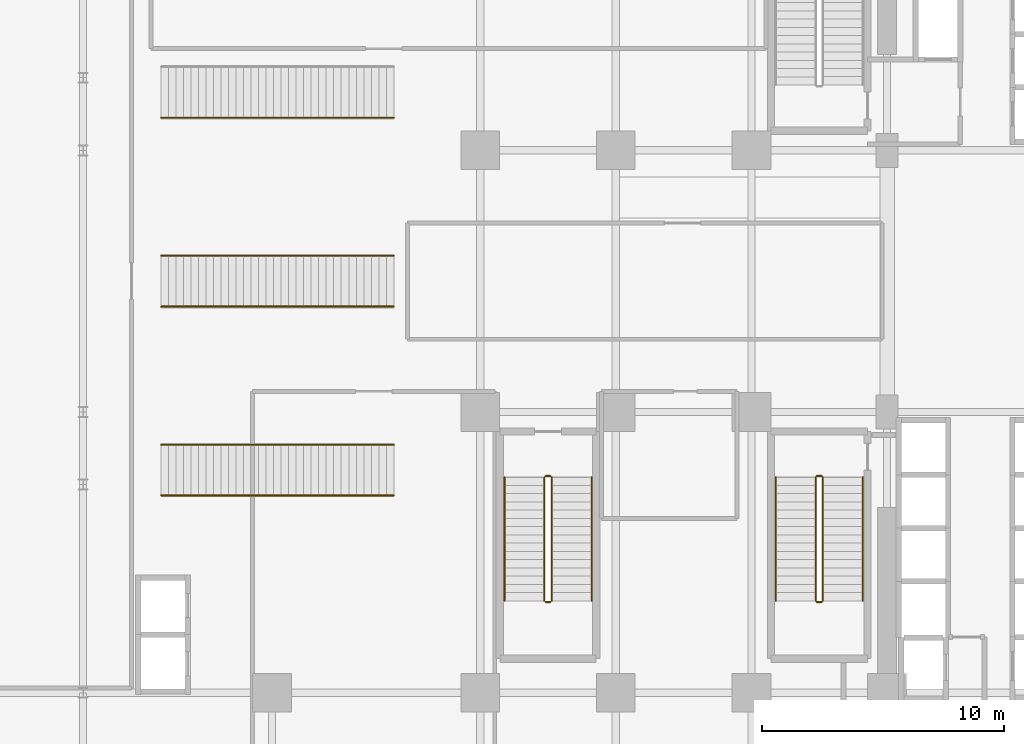
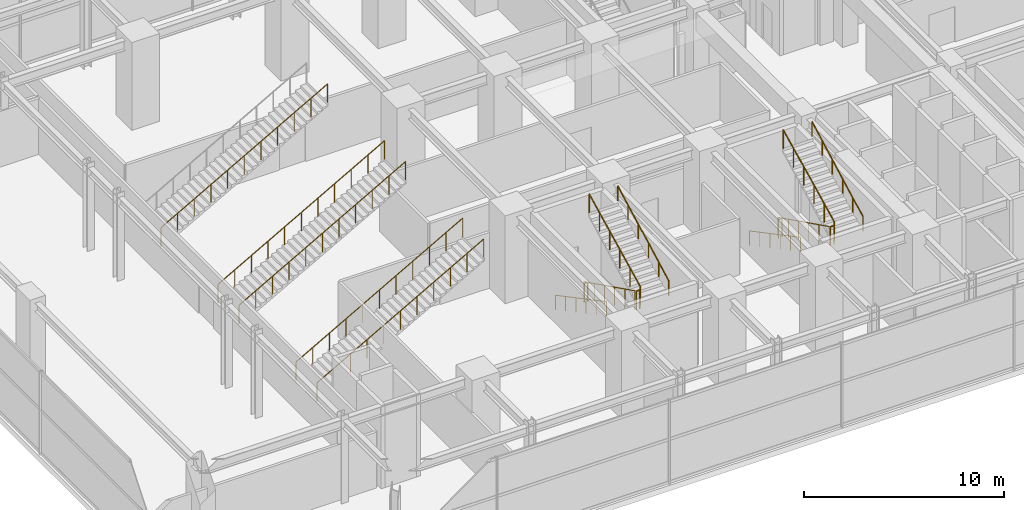
# One storey, part 31 of 34: 17 railings.
"""IFC4 building model written with IfcOpenShell, lengths in metres."""

from ifc_helpers import new_model, si_unit, direction, frame, origin, origin_2d, place, context, subcontext, project, spatial, circle, extrude, material, type_object, element, save


model = new_model("IFC4")

# Units and contexts
model_context = context("Model", 3, precision=1e-05, world=origin(), true_north=direction((0.0, 1.0)))
body_context = subcontext(model_context, "Body", "Model", "MODEL_VIEW")
ifc_project = project(units=[si_unit("LENGTHUNIT", "METRE"), si_unit("AREAUNIT", "SQUARE_METRE"), si_unit("VOLUMEUNIT", "CUBIC_METRE"), si_unit("PLANEANGLEUNIT", "RADIAN"), si_unit("MASSUNIT", "GRAM", prefix="KILO")], contexts=[model_context])

# Site, building, storey
site_placement = place(None, origin())
site = spatial("IfcSite", under=ifc_project, at=site_placement, CompositionType="ELEMENT")
building_placement = place(site_placement, origin())
building = spatial("IfcBuilding", under=site, at=building_placement, Name="Nahalor Promenade Grand Hotel", CompositionType="ELEMENT")
storey_placement = place(building_placement, frame((0.0, 0.0, 16.199951171875)))
storey = spatial("IfcBuildingStorey", under=building, at=storey_placement, Name="L03", CompositionType="ELEMENT", Elevation=16.199951171875)

# Railings
ifc_material = material(Name="Steel S355JR", Category="steel")
railing_type_1 = type_object("IfcRailingType", Name="Steel Stair Guardrail 1150 mm", PredefinedType="GUARDRAIL", material=ifc_material)
railing_1_placement = place(storey_placement, frame((5.449951171875, -8.10009765625, 0.168701171875)))
element("IfcRailing", 1, at=railing_1_placement, inside=storey, type_object=railing_type_1, Name="L03 ST2 stair guard 1", PredefinedType="GUARDRAIL", context=body_context, shape_type="SweptSolid", body=[
    extrude(circle(Radius=0.024048, at=origin_2d()), frame((0.0, 0.0, 1.1259765625), z_axis=(0.0, -0.895735491292, 0.444587370086), x_axis=(1.0, 0.0, 0.0)), (0.0, 0.0, 1.0), 5.693603515625),
    extrude(circle(Radius=0.020996, at=origin_2d()), origin(), (0.0, 0.0, 1.0), 1.099853515625),
    extrude(circle(Radius=0.020996, at=origin_2d()), frame((0.0, -1.02001953125, 0.50634765625)), (0.0, 0.0, 1.0), 1.099853515625),
    extrude(circle(Radius=0.020996, at=origin_2d()), frame((0.0, -2.0400390625, 1.012451171875)), (0.0, 0.0, 1.0), 1.099853515625),
    extrude(circle(Radius=0.020996, at=origin_2d()), frame((0.0, -3.059814453125, 1.518798828125)), (0.0, 0.0, 1.0), 1.099853515625),
    extrude(circle(Radius=0.020996, at=origin_2d()), frame((0.0, -4.079833984375, 2.02490234375)), (0.0, 0.0, 1.0), 1.099853515625),
    extrude(circle(Radius=0.020996, at=origin_2d()), frame((0.0, -5.099853515625, 2.53125)), (0.0, 0.0, 1.0), 1.099853515625),
])
railing_2_placement = place(storey_placement, frame((5.5, -13.25, 2.699951171875)))
element("IfcRailing", 2, at=railing_2_placement, inside=storey, type_object=railing_type_1, Name="L03 ST2 stair guard 2", PredefinedType="GUARDRAIL", context=body_context, shape_type="SweptSolid", body=[
    extrude(circle(Radius=0.024048, at=origin_2d()), frame((0.0, 0.0, 1.1259765625), z_axis=(1.0, 0.0, 0.0), x_axis=(0.0, 1.0, 0.0)), (0.0, 0.0, 1.0), 0.199951171875),
    extrude(circle(Radius=0.020996, at=origin_2d()), origin(), (0.0, 0.0, 1.0), 1.099853515625),
    extrude(circle(Radius=0.020996, at=origin_2d()), frame((0.199951171875, 0.0, 0.0)), (0.0, 0.0, 1.0), 1.099853515625),
])
railing_3_placement = place(storey_placement, frame((5.75, -13.199951171875, 2.868896484375)))
element("IfcRailing", 3, at=railing_3_placement, inside=storey, type_object=railing_type_1, Name="L03 ST2 stair guard 3", PredefinedType="GUARDRAIL", context=body_context, shape_type="SweptSolid", body=[
    extrude(circle(Radius=0.024048, at=origin_2d()), frame((0.0, 0.0, 1.1259765625), z_axis=(0.0, 0.895735491292, 0.444587370086), x_axis=(-1.0, 0.0, 0.0)), (0.0, 0.0, 1.0), 5.693603515625),
    extrude(circle(Radius=0.020996, at=origin_2d()), origin(), (0.0, 0.0, 1.0), 1.099853515625),
    extrude(circle(Radius=0.020996, at=origin_2d()), frame((0.0, 1.02001953125, 0.50634765625)), (0.0, 0.0, 1.0), 1.099853515625),
    extrude(circle(Radius=0.020996, at=origin_2d()), frame((0.0, 2.0400390625, 1.012451171875)), (0.0, 0.0, 1.0), 1.099853515625),
    extrude(circle(Radius=0.020996, at=origin_2d()), frame((0.0, 3.059814453125, 1.518798828125)), (0.0, 0.0, 1.0), 1.099853515625),
    extrude(circle(Radius=0.020996, at=origin_2d()), frame((0.0, 4.079833984375, 2.02490234375)), (0.0, 0.0, 1.0), 1.099853515625),
    extrude(circle(Radius=0.020996, at=origin_2d()), frame((0.0, 5.099853515625, 2.53125)), (0.0, 0.0, 1.0), 1.099853515625),
])
railing_4_placement = place(storey_placement, frame((5.5, -8.050048828125, 0.0)))
element("IfcRailing", 4, at=railing_4_placement, inside=storey, type_object=railing_type_1, Name="L03 ST2 stair guard 4", PredefinedType="GUARDRAIL", context=body_context, shape_type="SweptSolid", body=[
    extrude(circle(Radius=0.024048, at=origin_2d()), frame((0.0, 0.0, 1.1259765625), z_axis=(1.0, 0.0, 0.0), x_axis=(0.0, 1.0, 0.0)), (0.0, 0.0, 1.0), 0.199951171875),
    extrude(circle(Radius=0.020996, at=origin_2d()), origin(), (0.0, 0.0, 1.0), 1.099853515625),
    extrude(circle(Radius=0.020996, at=origin_2d()), frame((0.199951171875, 0.0, 0.0)), (0.0, 0.0, 1.0), 1.099853515625),
])
railing_5_placement = place(storey_placement, frame((-5.75, -8.10009765625, 0.168701171875)))
element("IfcRailing", 5, at=railing_5_placement, inside=storey, type_object=railing_type_1, Name="L03 ST3 stair guard 1", PredefinedType="GUARDRAIL", context=body_context, shape_type="SweptSolid", body=[
    extrude(circle(Radius=0.024048, at=origin_2d()), frame((0.0, 0.0, 1.1259765625), z_axis=(0.0, -0.895735491292, 0.444587370086), x_axis=(1.0, 0.0, 0.0)), (0.0, 0.0, 1.0), 5.693603515625),
    extrude(circle(Radius=0.020996, at=origin_2d()), origin(), (0.0, 0.0, 1.0), 1.099853515625),
    extrude(circle(Radius=0.020996, at=origin_2d()), frame((0.0, -1.02001953125, 0.50634765625)), (0.0, 0.0, 1.0), 1.099853515625),
    extrude(circle(Radius=0.020996, at=origin_2d()), frame((0.0, -2.0400390625, 1.012451171875)), (0.0, 0.0, 1.0), 1.099853515625),
    extrude(circle(Radius=0.020996, at=origin_2d()), frame((0.0, -3.059814453125, 1.518798828125)), (0.0, 0.0, 1.0), 1.099853515625),
    extrude(circle(Radius=0.020996, at=origin_2d()), frame((0.0, -4.079833984375, 2.02490234375)), (0.0, 0.0, 1.0), 1.099853515625),
    extrude(circle(Radius=0.020996, at=origin_2d()), frame((0.0, -5.099853515625, 2.53125)), (0.0, 0.0, 1.0), 1.099853515625),
])
railing_6_placement = place(storey_placement, frame((-5.699951171875, -13.25, 2.699951171875)))
element("IfcRailing", 6, at=railing_6_placement, inside=storey, type_object=railing_type_1, Name="L03 ST3 stair guard 2", PredefinedType="GUARDRAIL", context=body_context, shape_type="SweptSolid", body=[
    extrude(circle(Radius=0.024048, at=origin_2d()), frame((0.0, 0.0, 1.1259765625), z_axis=(1.0, 0.0, 0.0), x_axis=(0.0, 1.0, 0.0)), (0.0, 0.0, 1.0), 0.199951171875),
    extrude(circle(Radius=0.020996, at=origin_2d()), origin(), (0.0, 0.0, 1.0), 1.099853515625),
    extrude(circle(Radius=0.020996, at=origin_2d()), frame((0.199951171875, 0.0, 0.0)), (0.0, 0.0, 1.0), 1.099853515625),
])
railing_7_placement = place(storey_placement, frame((-5.449951171875, -13.199951171875, 2.868896484375)))
element("IfcRailing", 7, at=railing_7_placement, inside=storey, type_object=railing_type_1, Name="L03 ST3 stair guard 3", PredefinedType="GUARDRAIL", context=body_context, shape_type="SweptSolid", body=[
    extrude(circle(Radius=0.024048, at=origin_2d()), frame((0.0, 0.0, 1.1259765625), z_axis=(0.0, 0.895735491292, 0.444587370086), x_axis=(-1.0, 0.0, 0.0)), (0.0, 0.0, 1.0), 5.693603515625),
    extrude(circle(Radius=0.020996, at=origin_2d()), origin(), (0.0, 0.0, 1.0), 1.099853515625),
    extrude(circle(Radius=0.020996, at=origin_2d()), frame((0.0, 1.02001953125, 0.50634765625)), (0.0, 0.0, 1.0), 1.099853515625),
    extrude(circle(Radius=0.020996, at=origin_2d()), frame((0.0, 2.0400390625, 1.012451171875)), (0.0, 0.0, 1.0), 1.099853515625),
    extrude(circle(Radius=0.020996, at=origin_2d()), frame((0.0, 3.059814453125, 1.518798828125)), (0.0, 0.0, 1.0), 1.099853515625),
    extrude(circle(Radius=0.020996, at=origin_2d()), frame((0.0, 4.079833984375, 2.02490234375)), (0.0, 0.0, 1.0), 1.099853515625),
    extrude(circle(Radius=0.020996, at=origin_2d()), frame((0.0, 5.099853515625, 2.53125)), (0.0, 0.0, 1.0), 1.099853515625),
])
railing_8_placement = place(storey_placement, frame((-5.699951171875, -8.050048828125, 0.0)))
element("IfcRailing", 8, at=railing_8_placement, inside=storey, type_object=railing_type_1, Name="L03 ST3 stair guard 4", PredefinedType="GUARDRAIL", context=body_context, shape_type="SweptSolid", body=[
    extrude(circle(Radius=0.024048, at=origin_2d()), frame((0.0, 0.0, 1.1259765625), z_axis=(1.0, 0.0, 0.0), x_axis=(0.0, 1.0, 0.0)), (0.0, 0.0, 1.0), 0.199951171875),
    extrude(circle(Radius=0.020996, at=origin_2d()), origin(), (0.0, 0.0, 1.0), 1.099853515625),
    extrude(circle(Radius=0.020996, at=origin_2d()), frame((0.199951171875, 0.0, 0.0)), (0.0, 0.0, 1.0), 1.099853515625),
])
for number, where, name in (
    (9, (-21.580078125, -8.85009765625, 0.0), "RL-STM3-R"),
    (10, (-21.580078125, -6.75, 0.0), "RL-STM3-L"),
    (11, (-21.580078125, 6.75, 0.0), "RL-STM4-R"),
    (12, (-21.580078125, -1.050048828125, 0.0), "RL-STM5-R"),
    (13, (-21.580078125, 1.050048828125, 0.0), "RL-STM5-L"),
):
    element("IfcRailing", number, at=place(storey_placement, frame(where)), inside=storey, type_object=railing_type_1, Name=name, PredefinedType="GUARDRAIL", context=body_context, shape_type="SweptSolid", body=[
        extrude(circle(Radius=0.024048, at=origin_2d()), frame((0.0, 0.0, 1.1259765625), z_axis=(0.871790158963, 0.0, 0.489879494096), x_axis=(0.0, 1.0, 0.0)), (0.0, 0.0, 1.0), 11.0234375),
        extrude(circle(Radius=0.020996, at=origin_2d()), origin(), (0.0, 0.0, 1.0), 1.099853515625),
        extrude(circle(Radius=0.020996, at=origin_2d()), frame((0.9609375, 0.0, 0.5400390625)), (0.0, 0.0, 1.0), 1.099853515625),
        extrude(circle(Radius=0.020996, at=origin_2d()), frame((1.922119140625, 0.0, 1.080078125)), (0.0, 0.0, 1.0), 1.099853515625),
        extrude(circle(Radius=0.020996, at=origin_2d()), frame((2.883056640625, 0.0, 1.6201171875)), (0.0, 0.0, 1.0), 1.099853515625),
        extrude(circle(Radius=0.020996, at=origin_2d()), frame((3.843994140625, 0.0, 2.16015625)), (0.0, 0.0, 1.0), 1.099853515625),
        extrude(circle(Radius=0.020996, at=origin_2d()), frame((4.80517578125, 0.0, 2.7001953125)), (0.0, 0.0, 1.0), 1.099853515625),
        extrude(circle(Radius=0.020996, at=origin_2d()), frame((5.76611328125, 0.0, 3.239990234375)), (0.0, 0.0, 1.0), 1.099853515625),
        extrude(circle(Radius=0.020996, at=origin_2d()), frame((6.72705078125, 0.0, 3.780029296875)), (0.0, 0.0, 1.0), 1.099853515625),
        extrude(circle(Radius=0.020996, at=origin_2d()), frame((7.68798828125, 0.0, 4.320068359375)), (0.0, 0.0, 1.0), 1.099853515625),
        extrude(circle(Radius=0.020996, at=origin_2d()), frame((8.649169921875, 0.0, 4.860107421875)), (0.0, 0.0, 1.0), 1.099853515625),
        extrude(circle(Radius=0.020996, at=origin_2d()), frame((9.610107421875, 0.0, 5.400146484375)), (0.0, 0.0, 1.0), 1.099853515625),
    ])
railing_type_2 = type_object("IfcRailingType", Name="Steel Stair Handrail 900 mm", PredefinedType="HANDRAIL", material=ifc_material)
railing_9_placement = place(storey_placement, frame((3.800048828125, -8.10009765625, 0.168701171875)))
element("IfcRailing", 14, at=railing_9_placement, inside=storey, type_object=railing_type_2, Name="L03 ST2 stair handrail 1", PredefinedType="HANDRAIL", context=body_context, shape_type="SweptSolid", body=[
    extrude(circle(Radius=0.024048, at=origin_2d()), frame((0.0, 0.0, 0.8759765625), z_axis=(0.0, -0.883768362495, 0.467924653607), x_axis=(1.0, 0.0, 0.0)), (0.0, 0.0, 1.0), 5.7705078125),
    extrude(circle(Radius=0.020996, at=origin_2d()), origin(), (0.0, 0.0, 1.0), 0.849853515625),
    extrude(circle(Radius=0.020996, at=origin_2d()), frame((0.0, -1.02001953125, 0.5400390625)), (0.0, 0.0, 1.0), 0.849853515625),
    extrude(circle(Radius=0.020996, at=origin_2d()), frame((0.0, -2.0400390625, 1.080078125)), (0.0, 0.0, 1.0), 0.849853515625),
    extrude(circle(Radius=0.020996, at=origin_2d()), frame((0.0, -3.059814453125, 1.6201171875)), (0.0, 0.0, 1.0), 0.849853515625),
    extrude(circle(Radius=0.020996, at=origin_2d()), frame((0.0, -4.079833984375, 2.16015625)), (0.0, 0.0, 1.0), 0.849853515625),
    extrude(circle(Radius=0.020996, at=origin_2d()), frame((0.0, -5.099853515625, 2.7001953125)), (0.0, 0.0, 1.0), 0.849853515625),
])
railing_10_placement = place(storey_placement, frame((7.39990234375, -13.199951171875, 2.868896484375)))
element("IfcRailing", 15, at=railing_10_placement, inside=storey, type_object=railing_type_2, Name="L03 ST2 stair handrail 2", PredefinedType="HANDRAIL", context=body_context, shape_type="SweptSolid", body=[
    extrude(circle(Radius=0.024048, at=origin_2d()), frame((0.0, 0.0, 0.8759765625), z_axis=(0.0, 0.883785858079, 0.467891608238), x_axis=(-1.0, 0.0, 0.0)), (0.0, 0.0, 1.0), 5.7705078125),
    extrude(circle(Radius=0.020996, at=origin_2d()), origin(), (0.0, 0.0, 1.0), 0.849853515625),
    extrude(circle(Radius=0.020996, at=origin_2d()), frame((0.0, 1.02001953125, 0.5400390625)), (0.0, 0.0, 1.0), 0.849853515625),
    extrude(circle(Radius=0.020996, at=origin_2d()), frame((0.0, 2.0400390625, 1.080078125)), (0.0, 0.0, 1.0), 0.849853515625),
    extrude(circle(Radius=0.020996, at=origin_2d()), frame((0.0, 3.059814453125, 1.619873046875)), (0.0, 0.0, 1.0), 0.849853515625),
    extrude(circle(Radius=0.020996, at=origin_2d()), frame((0.0, 4.079833984375, 2.159912109375)), (0.0, 0.0, 1.0), 0.849853515625),
    extrude(circle(Radius=0.020996, at=origin_2d()), frame((0.0, 5.099853515625, 2.699951171875)), (0.0, 0.0, 1.0), 0.849853515625),
])
railing_11_placement = place(storey_placement, frame((-7.39990234375, -8.10009765625, 0.168701171875)))
element("IfcRailing", 16, at=railing_11_placement, inside=storey, type_object=railing_type_2, Name="L03 ST3 stair handrail 1", PredefinedType="HANDRAIL", context=body_context, shape_type="SweptSolid", body=[
    extrude(circle(Radius=0.024048, at=origin_2d()), frame((0.0, 0.0, 0.8759765625), z_axis=(0.0, -0.883768362495, 0.467924653607), x_axis=(1.0, 0.0, 0.0)), (0.0, 0.0, 1.0), 5.7705078125),
    extrude(circle(Radius=0.020996, at=origin_2d()), origin(), (0.0, 0.0, 1.0), 0.849853515625),
    extrude(circle(Radius=0.020996, at=origin_2d()), frame((0.0, -1.02001953125, 0.5400390625)), (0.0, 0.0, 1.0), 0.849853515625),
    extrude(circle(Radius=0.020996, at=origin_2d()), frame((0.0, -2.0400390625, 1.080078125)), (0.0, 0.0, 1.0), 0.849853515625),
    extrude(circle(Radius=0.020996, at=origin_2d()), frame((0.0, -3.059814453125, 1.6201171875)), (0.0, 0.0, 1.0), 0.849853515625),
    extrude(circle(Radius=0.020996, at=origin_2d()), frame((0.0, -4.079833984375, 2.16015625)), (0.0, 0.0, 1.0), 0.849853515625),
    extrude(circle(Radius=0.020996, at=origin_2d()), frame((0.0, -5.099853515625, 2.7001953125)), (0.0, 0.0, 1.0), 0.849853515625),
])
railing_12_placement = place(storey_placement, frame((-3.800048828125, -13.199951171875, 2.868896484375)))
element("IfcRailing", 17, at=railing_12_placement, inside=storey, type_object=railing_type_2, Name="L03 ST3 stair handrail 2", PredefinedType="HANDRAIL", context=body_context, shape_type="SweptSolid", body=[
    extrude(circle(Radius=0.024048, at=origin_2d()), frame((0.0, 0.0, 0.8759765625), z_axis=(0.0, 0.883785858079, 0.467891608238), x_axis=(-1.0, 0.0, 0.0)), (0.0, 0.0, 1.0), 5.7705078125),
    extrude(circle(Radius=0.020996, at=origin_2d()), origin(), (0.0, 0.0, 1.0), 0.849853515625),
    extrude(circle(Radius=0.020996, at=origin_2d()), frame((0.0, 1.02001953125, 0.5400390625)), (0.0, 0.0, 1.0), 0.849853515625),
    extrude(circle(Radius=0.020996, at=origin_2d()), frame((0.0, 2.0400390625, 1.080078125)), (0.0, 0.0, 1.0), 0.849853515625),
    extrude(circle(Radius=0.020996, at=origin_2d()), frame((0.0, 3.059814453125, 1.619873046875)), (0.0, 0.0, 1.0), 0.849853515625),
    extrude(circle(Radius=0.020996, at=origin_2d()), frame((0.0, 4.079833984375, 2.159912109375)), (0.0, 0.0, 1.0), 0.849853515625),
    extrude(circle(Radius=0.020996, at=origin_2d()), frame((0.0, 5.099853515625, 2.699951171875)), (0.0, 0.0, 1.0), 0.849853515625),
])

save(model, "model.ifc")
